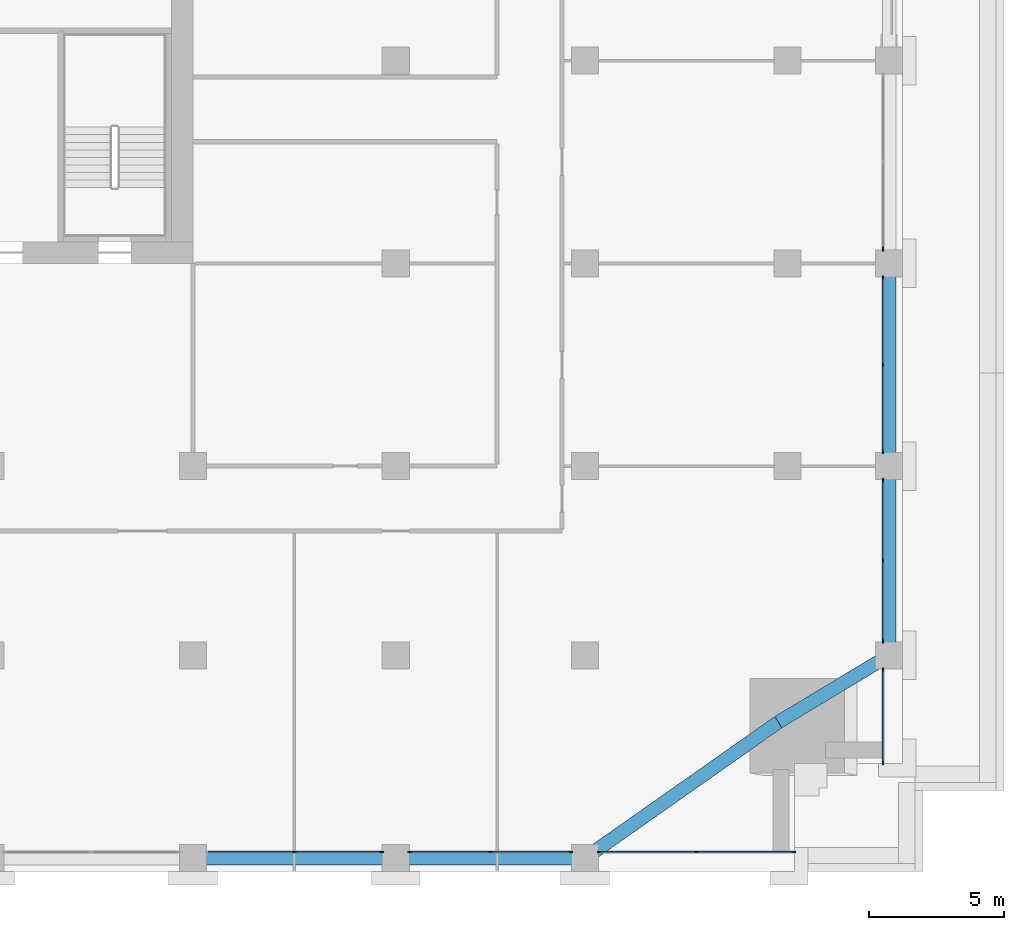
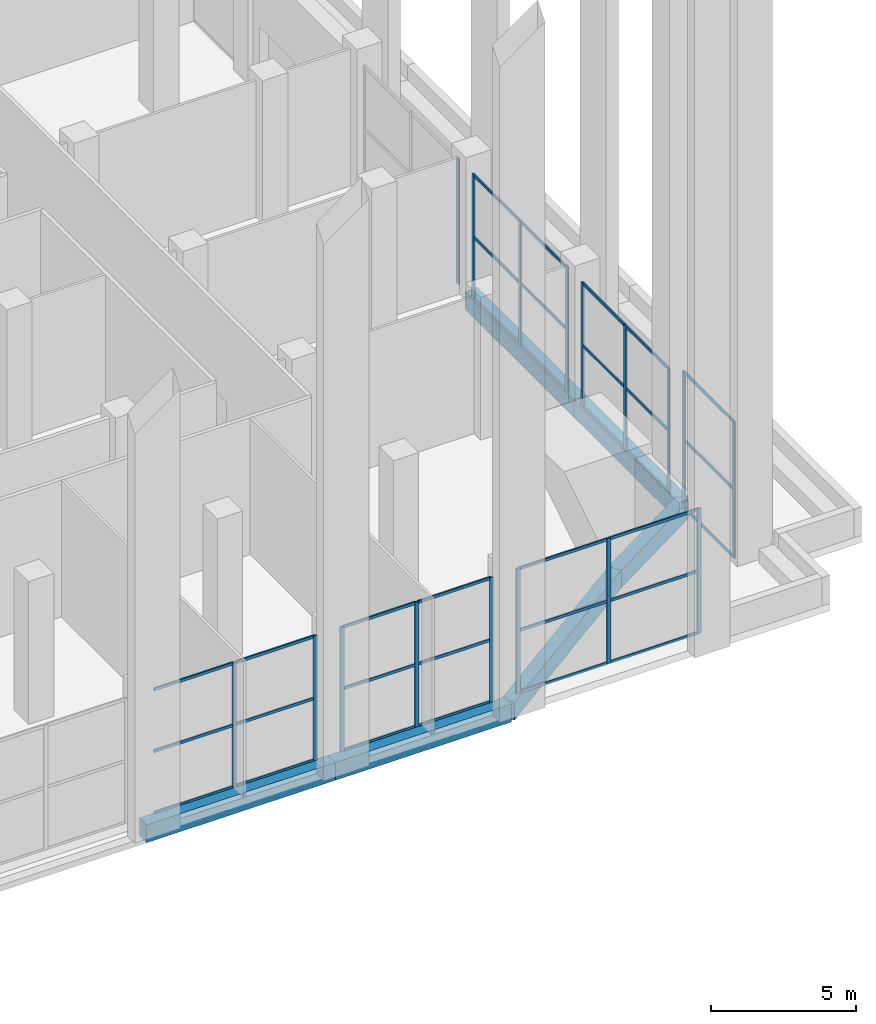
# One storey, part 4 of 23: 50 members, 6 beams, 7 elements without a shape of their own.
"""IFC4 building model written with IfcOpenShell, lengths in metres."""

from ifc_helpers import new_model, si_unit, direction, frame, origin, origin_2d, place, context, subcontext, project, spatial, rectangle, extrude, material, layer, layer_set, material_profile, profile_set, type_object, element, aggregate, save


model = new_model("IFC4")

# Units and contexts
model_context = context("Model", 3, precision=1e-05, world=origin(), true_north=direction((0.0, 1.0)))
body_context = subcontext(model_context, "Body", "Model", "MODEL_VIEW")
ifc_project = project(units=[si_unit("LENGTHUNIT", "METRE"), si_unit("AREAUNIT", "SQUARE_METRE"), si_unit("VOLUMEUNIT", "CUBIC_METRE"), si_unit("PLANEANGLEUNIT", "RADIAN"), si_unit("MASSUNIT", "GRAM", prefix="KILO")], contexts=[model_context])

# Site, building, storey
site_placement = place(None, origin())
site = spatial("IfcSite", under=ifc_project, at=site_placement, CompositionType="ELEMENT")
building_placement = place(site_placement, origin())
building = spatial("IfcBuilding", under=site, at=building_placement, Name="Tamorin Gate", CompositionType="ELEMENT")
storey_placement = place(building_placement, frame((0.0, 0.0, 124.199951171875)))
storey = spatial("IfcBuildingStorey", under=building, at=storey_placement, Name="L30", CompositionType="ELEMENT", Elevation=124.199951171875)

# Curtain wall, members
ifc_material_1 = material(Name="Aluminium mullions and transoms with clear glass", Category="aluminium")
ifc_layer = layer(ifc_material_1, 0.159912109375)
ifc_layer_set = layer_set([ifc_layer], Name="Curtain wall system CW1")
curtain_wall_type = type_object("IfcCurtainWallType", Name="Curtain wall system CW1", PredefinedType="NOTDEFINED", material=ifc_layer_set)
curtain_wall_1_placement = place(storey_placement, origin())
curtain_wall_1 = element("IfcCurtainWall", 1, at=curtain_wall_1_placement, inside=storey, type_object=curtain_wall_type, Name="Curtain wall", PredefinedType="NOTDEFINED")
ifc_material_2 = material(Name="Aluminium", Category="aluminium")
ifc_material_profile_1 = material_profile(ifc_material_2, rectangle(XDim=0.06005859375, YDim=0.159912109375, at=origin_2d()), Name="RECT 60x160")
ifc_profile_set_1 = profile_set([ifc_material_profile_1], Name="Aluminium")
member_type_1 = type_object("IfcMemberType", Name="Aluminium mullion 60x160", PredefinedType="MULLION", material=ifc_profile_set_1)
member_1_placement = place(storey_placement, frame((63.75, 38.219970703125, 0.0), z_axis=(0.0, 0.0, 1.0), x_axis=(0.0, 1.0, 0.0)))
member_1 = element("IfcMember", 2, at=member_1_placement, type_object=member_type_1, Name="CW1 mullion 2", PredefinedType="MULLION", context=body_context, shape_type="SweptSolid", body=[
    extrude(rectangle(XDim=0.06005859375, YDim=0.159912109375, at=origin_2d()), origin(), (0.0, 0.0, 1.0), 5.25),
])
member_2_placement = place(storey_placement, frame((66.969970703125, 38.219970703125, 0.0), z_axis=(0.0, 0.0, 1.0), x_axis=(0.0, 1.0, 0.0)))
member_2 = element("IfcMember", 3, at=member_2_placement, type_object=member_type_1, Name="CW1 mullion 3", PredefinedType="MULLION", context=body_context, shape_type="SweptSolid", body=[
    extrude(rectangle(XDim=0.06005859375, YDim=0.159912109375, at=origin_2d()), origin(), (0.0, 0.0, 1.0), 5.25),
])

curtain_wall_2_placement = place(storey_placement, origin())
curtain_wall_2 = element("IfcCurtainWall", 4, at=curtain_wall_2_placement, inside=storey, type_object=curtain_wall_type, Name="Curtain wall", PredefinedType="NOTDEFINED")
member_3_placement = place(storey_placement, frame((68.030029296875, 38.219970703125, 0.0), z_axis=(0.0, 0.0, 1.0), x_axis=(0.0, 1.0, 0.0)))
member_3 = element("IfcMember", 5, at=member_3_placement, type_object=member_type_1, Name="CW1 mullion 1", PredefinedType="MULLION", context=body_context, shape_type="SweptSolid", body=[
    extrude(rectangle(XDim=0.06005859375, YDim=0.159912109375, at=origin_2d()), origin(), (0.0, 0.0, 1.0), 5.25),
])
member_4_placement = place(storey_placement, frame((71.0, 38.219970703125, 0.0), z_axis=(0.0, 0.0, 1.0), x_axis=(0.0, 1.0, 0.0)))
member_4 = element("IfcMember", 6, at=member_4_placement, type_object=member_type_1, Name="CW1 mullion 2", PredefinedType="MULLION", context=body_context, shape_type="SweptSolid", body=[
    extrude(rectangle(XDim=0.06005859375, YDim=0.159912109375, at=origin_2d()), origin(), (0.0, 0.0, 1.0), 5.25),
])
member_5_placement = place(storey_placement, frame((73.969970703125, 38.219970703125, 0.0), z_axis=(0.0, 0.0, 1.0), x_axis=(0.0, 1.0, 0.0)))
member_5 = element("IfcMember", 7, at=member_5_placement, type_object=member_type_1, Name="CW1 mullion 3", PredefinedType="MULLION", context=body_context, shape_type="SweptSolid", body=[
    extrude(rectangle(XDim=0.06005859375, YDim=0.159912109375, at=origin_2d()), origin(), (0.0, 0.0, 1.0), 5.25),
])

curtain_wall_3_placement = place(storey_placement, origin())
curtain_wall_3 = element("IfcCurtainWall", 8, at=curtain_wall_3_placement, inside=storey, type_object=curtain_wall_type, Name="Curtain wall", PredefinedType="NOTDEFINED")
member_6_placement = place(storey_placement, frame((75.030029296875, 38.219970703125, 0.0), z_axis=(0.0, 0.0, 1.0), x_axis=(0.0, 1.0, 0.0)))
member_6 = element("IfcMember", 9, at=member_6_placement, type_object=member_type_1, Name="CW1 mullion 1", PredefinedType="MULLION", context=body_context, shape_type="SweptSolid", body=[
    extrude(rectangle(XDim=0.06005859375, YDim=0.159912109375, at=origin_2d()), origin(), (0.0, 0.0, 1.0), 5.25),
])
member_7_placement = place(storey_placement, frame((78.625, 38.219970703125, 0.0), z_axis=(0.0, 0.0, 1.0), x_axis=(0.0, 1.0, 0.0)))
member_7 = element("IfcMember", 10, at=member_7_placement, type_object=member_type_1, Name="CW1 mullion 2", PredefinedType="MULLION", context=body_context, shape_type="SweptSolid", body=[
    extrude(rectangle(XDim=0.06005859375, YDim=0.159912109375, at=origin_2d()), origin(), (0.0, 0.0, 1.0), 5.25),
])
member_8_placement = place(storey_placement, frame((82.219970703125, 38.219970703125, 0.0), z_axis=(0.0, 0.0, 1.0), x_axis=(0.0, 1.0, 0.0)))
member_8 = element("IfcMember", 11, at=member_8_placement, type_object=member_type_1, Name="CW1 mullion 3", PredefinedType="MULLION", context=body_context, shape_type="SweptSolid", body=[
    extrude(rectangle(XDim=0.06005859375, YDim=0.159912109375, at=origin_2d()), origin(), (0.0, 0.0, 1.0), 5.25),
])

curtain_wall_4_placement = place(storey_placement, origin())
curtain_wall_4 = element("IfcCurtainWall", 12, at=curtain_wall_4_placement, inside=storey, type_object=curtain_wall_type, Name="Curtain wall", PredefinedType="NOTDEFINED")
member_9_placement = place(storey_placement, frame((85.530029296875, 41.530029296875, 0.0), z_axis=(0.0, 0.0, 1.0), x_axis=(-1.0, 0.0, 0.0)))
member_9 = element("IfcMember", 13, at=member_9_placement, type_object=member_type_1, Name="CW1 mullion 1", PredefinedType="MULLION", context=body_context, shape_type="SweptSolid", body=[
    extrude(rectangle(XDim=0.06005859375, YDim=0.159912109375, at=origin_2d()), origin(), (0.0, 0.0, 1.0), 5.75),
])
member_10_placement = place(storey_placement, frame((85.530029296875, 44.969970703125, 0.0), z_axis=(0.0, 0.0, 1.0), x_axis=(-1.0, 0.0, 0.0)))
member_10 = element("IfcMember", 14, at=member_10_placement, type_object=member_type_1, Name="CW1 mullion 2", PredefinedType="MULLION", context=body_context, shape_type="SweptSolid", body=[
    extrude(rectangle(XDim=0.06005859375, YDim=0.159912109375, at=origin_2d()), origin(), (0.0, 0.0, 1.0), 5.75),
])

curtain_wall_5_placement = place(storey_placement, origin())
curtain_wall_5 = element("IfcCurtainWall", 15, at=curtain_wall_5_placement, inside=storey, type_object=curtain_wall_type, Name="Curtain wall", PredefinedType="NOTDEFINED")
member_11_placement = place(storey_placement, frame((85.530029296875, 46.030029296875, 0.0), z_axis=(0.0, 0.0, 1.0), x_axis=(-1.0, 0.0, 0.0)))
member_11 = element("IfcMember", 16, at=member_11_placement, type_object=member_type_1, Name="CW1 mullion 1", PredefinedType="MULLION", context=body_context, shape_type="SweptSolid", body=[
    extrude(rectangle(XDim=0.06005859375, YDim=0.159912109375, at=origin_2d()), origin(), (0.0, 0.0, 1.0), 5.25),
])
member_12_placement = place(storey_placement, frame((85.530029296875, 49.0, 0.0), z_axis=(0.0, 0.0, 1.0), x_axis=(-1.0, 0.0, 0.0)))
member_12 = element("IfcMember", 17, at=member_12_placement, type_object=member_type_1, Name="CW1 mullion 2", PredefinedType="MULLION", context=body_context, shape_type="SweptSolid", body=[
    extrude(rectangle(XDim=0.06005859375, YDim=0.159912109375, at=origin_2d()), origin(), (0.0, 0.0, 1.0), 5.25),
])
member_13_placement = place(storey_placement, frame((85.530029296875, 51.969970703125, 0.0), z_axis=(0.0, 0.0, 1.0), x_axis=(-1.0, 0.0, 0.0)))
member_13 = element("IfcMember", 18, at=member_13_placement, type_object=member_type_1, Name="CW1 mullion 3", PredefinedType="MULLION", context=body_context, shape_type="SweptSolid", body=[
    extrude(rectangle(XDim=0.06005859375, YDim=0.159912109375, at=origin_2d()), origin(), (0.0, 0.0, 1.0), 5.25),
])

curtain_wall_6_placement = place(storey_placement, origin())
curtain_wall_6 = element("IfcCurtainWall", 19, at=curtain_wall_6_placement, inside=storey, type_object=curtain_wall_type, Name="Curtain wall", PredefinedType="NOTDEFINED")
member_14_placement = place(storey_placement, frame((85.530029296875, 53.030029296875, 0.0), z_axis=(0.0, 0.0, 1.0), x_axis=(-1.0, 0.0, 0.0)))
member_14 = element("IfcMember", 20, at=member_14_placement, type_object=member_type_1, Name="CW1 mullion 1", PredefinedType="MULLION", context=body_context, shape_type="SweptSolid", body=[
    extrude(rectangle(XDim=0.06005859375, YDim=0.159912109375, at=origin_2d()), origin(), (0.0, 0.0, 1.0), 5.25),
])
member_15_placement = place(storey_placement, frame((85.530029296875, 56.25, 0.0), z_axis=(0.0, 0.0, 1.0), x_axis=(-1.0, 0.0, 0.0)))
member_15 = element("IfcMember", 21, at=member_15_placement, type_object=member_type_1, Name="CW1 mullion 2", PredefinedType="MULLION", context=body_context, shape_type="SweptSolid", body=[
    extrude(rectangle(XDim=0.06005859375, YDim=0.159912109375, at=origin_2d()), origin(), (0.0, 0.0, 1.0), 5.25),
])
member_16_placement = place(storey_placement, frame((85.530029296875, 59.469970703125, 0.0), z_axis=(0.0, 0.0, 1.0), x_axis=(-1.0, 0.0, 0.0)))
member_16 = element("IfcMember", 22, at=member_16_placement, type_object=member_type_1, Name="CW1 mullion 3", PredefinedType="MULLION", context=body_context, shape_type="SweptSolid", body=[
    extrude(rectangle(XDim=0.06005859375, YDim=0.159912109375, at=origin_2d()), origin(), (0.0, 0.0, 1.0), 5.25),
])

# Curtain wall, member
curtain_wall_7_placement = place(storey_placement, origin())
curtain_wall_7 = element("IfcCurtainWall", 23, at=curtain_wall_7_placement, inside=storey, type_object=curtain_wall_type, Name="Curtain wall", PredefinedType="NOTDEFINED")
member_17_placement = place(storey_placement, frame((85.530029296875, 60.530029296875, 0.0), z_axis=(0.0, 0.0, 1.0), x_axis=(-1.0, 0.0, 0.0)))
member_17 = element("IfcMember", 24, at=member_17_placement, type_object=member_type_1, Name="CW1 mullion 1", PredefinedType="MULLION", context=body_context, shape_type="SweptSolid", body=[
    extrude(rectangle(XDim=0.06005859375, YDim=0.159912109375, at=origin_2d()), origin(), (0.0, 0.0, 1.0), 5.25),
])
aggregate(curtain_wall_7, [member_17])

# Member
ifc_material_profile_2 = material_profile(ifc_material_2, rectangle(XDim=0.06005859375, YDim=0.1201171875, at=origin_2d()), Name="RECT 60x120")
ifc_profile_set_2 = profile_set([ifc_material_profile_2], Name="Aluminium")
member_type_2 = type_object("IfcMemberType", Name="Aluminium transom 60x120", PredefinedType="USERDEFINED", material=ifc_profile_set_2)
member_18_placement = place(storey_placement, frame((60.56005859375, 38.219970703125, 0.030029296875), z_axis=(1.0, 0.0, 0.0), x_axis=(0.0, 1.0, 0.0)))
member_18 = element("IfcMember", 25, at=member_18_placement, type_object=member_type_2, Name="CW1 transom 1.1", ObjectType="TRANSOM", PredefinedType="USERDEFINED", context=body_context, shape_type="SweptSolid", body=[
    extrude(rectangle(XDim=0.06005859375, YDim=0.1201171875, at=origin_2d()), origin(), (0.0, 0.0, 1.0), 3.159912109375),
])

member_19_placement = place(storey_placement, frame((60.56005859375, 38.219970703125, 2.625), z_axis=(1.0, 0.0, 0.0), x_axis=(0.0, 1.0, 0.0)))
member_19 = element("IfcMember", 26, at=member_19_placement, type_object=member_type_2, Name="CW1 transom 1.2", ObjectType="TRANSOM", PredefinedType="USERDEFINED", context=body_context, shape_type="SweptSolid", body=[
    extrude(rectangle(XDim=0.06005859375, YDim=0.1201171875, at=origin_2d()), origin(), (0.0, 0.0, 1.0), 3.159912109375),
])

member_20_placement = place(storey_placement, frame((60.56005859375, 38.219970703125, 5.219970703125), z_axis=(1.0, 0.0, 0.0), x_axis=(0.0, 1.0, 0.0)))
member_20 = element("IfcMember", 27, at=member_20_placement, type_object=member_type_2, Name="CW1 transom 1.3", ObjectType="TRANSOM", PredefinedType="USERDEFINED", context=body_context, shape_type="SweptSolid", body=[
    extrude(rectangle(XDim=0.06005859375, YDim=0.1201171875, at=origin_2d()), origin(), (0.0, 0.0, 1.0), 3.159912109375),
])

member_21_placement = place(storey_placement, frame((63.780029296875, 38.219970703125, 0.030029296875), z_axis=(1.0, 0.0, 0.0), x_axis=(0.0, 1.0, 0.0)))
member_21 = element("IfcMember", 28, at=member_21_placement, type_object=member_type_2, Name="CW1 transom 2.1", ObjectType="TRANSOM", PredefinedType="USERDEFINED", context=body_context, shape_type="SweptSolid", body=[
    extrude(rectangle(XDim=0.06005859375, YDim=0.1201171875, at=origin_2d()), origin(), (0.0, 0.0, 1.0), 3.159912109375),
])

member_22_placement = place(storey_placement, frame((63.780029296875, 38.219970703125, 2.625), z_axis=(1.0, 0.0, 0.0), x_axis=(0.0, 1.0, 0.0)))
member_22 = element("IfcMember", 29, at=member_22_placement, type_object=member_type_2, Name="CW1 transom 2.2", ObjectType="TRANSOM", PredefinedType="USERDEFINED", context=body_context, shape_type="SweptSolid", body=[
    extrude(rectangle(XDim=0.06005859375, YDim=0.1201171875, at=origin_2d()), origin(), (0.0, 0.0, 1.0), 3.159912109375),
])

member_23_placement = place(storey_placement, frame((63.780029296875, 38.219970703125, 5.219970703125), z_axis=(1.0, 0.0, 0.0), x_axis=(0.0, 1.0, 0.0)))
member_23 = element("IfcMember", 30, at=member_23_placement, type_object=member_type_2, Name="CW1 transom 2.3", ObjectType="TRANSOM", PredefinedType="USERDEFINED", context=body_context, shape_type="SweptSolid", body=[
    extrude(rectangle(XDim=0.06005859375, YDim=0.1201171875, at=origin_2d()), origin(), (0.0, 0.0, 1.0), 3.159912109375),
])

aggregate(curtain_wall_1, [member_1, member_2, member_18, member_19, member_20, member_21, member_22, member_23])

member_24_placement = place(storey_placement, frame((68.06005859375, 38.219970703125, 0.030029296875), z_axis=(1.0, 0.0, 0.0), x_axis=(0.0, 1.0, 0.0)))
member_24 = element("IfcMember", 31, at=member_24_placement, type_object=member_type_2, Name="CW1 transom 1.1", ObjectType="TRANSOM", PredefinedType="USERDEFINED", context=body_context, shape_type="SweptSolid", body=[
    extrude(rectangle(XDim=0.06005859375, YDim=0.1201171875, at=origin_2d()), origin(), (0.0, 0.0, 1.0), 2.909912109375),
])

member_25_placement = place(storey_placement, frame((68.06005859375, 38.219970703125, 2.625), z_axis=(1.0, 0.0, 0.0), x_axis=(0.0, 1.0, 0.0)))
member_25 = element("IfcMember", 32, at=member_25_placement, type_object=member_type_2, Name="CW1 transom 1.2", ObjectType="TRANSOM", PredefinedType="USERDEFINED", context=body_context, shape_type="SweptSolid", body=[
    extrude(rectangle(XDim=0.06005859375, YDim=0.1201171875, at=origin_2d()), origin(), (0.0, 0.0, 1.0), 2.909912109375),
])

member_26_placement = place(storey_placement, frame((68.06005859375, 38.219970703125, 5.219970703125), z_axis=(1.0, 0.0, 0.0), x_axis=(0.0, 1.0, 0.0)))
member_26 = element("IfcMember", 33, at=member_26_placement, type_object=member_type_2, Name="CW1 transom 1.3", ObjectType="TRANSOM", PredefinedType="USERDEFINED", context=body_context, shape_type="SweptSolid", body=[
    extrude(rectangle(XDim=0.06005859375, YDim=0.1201171875, at=origin_2d()), origin(), (0.0, 0.0, 1.0), 2.909912109375),
])

member_27_placement = place(storey_placement, frame((71.030029296875, 38.219970703125, 0.030029296875), z_axis=(1.0, 0.0, 0.0), x_axis=(0.0, 1.0, 0.0)))
member_27 = element("IfcMember", 34, at=member_27_placement, type_object=member_type_2, Name="CW1 transom 2.1", ObjectType="TRANSOM", PredefinedType="USERDEFINED", context=body_context, shape_type="SweptSolid", body=[
    extrude(rectangle(XDim=0.06005859375, YDim=0.1201171875, at=origin_2d()), origin(), (0.0, 0.0, 1.0), 2.909912109375),
])

member_28_placement = place(storey_placement, frame((71.030029296875, 38.219970703125, 2.625), z_axis=(1.0, 0.0, 0.0), x_axis=(0.0, 1.0, 0.0)))
member_28 = element("IfcMember", 35, at=member_28_placement, type_object=member_type_2, Name="CW1 transom 2.2", ObjectType="TRANSOM", PredefinedType="USERDEFINED", context=body_context, shape_type="SweptSolid", body=[
    extrude(rectangle(XDim=0.06005859375, YDim=0.1201171875, at=origin_2d()), origin(), (0.0, 0.0, 1.0), 2.909912109375),
])

member_29_placement = place(storey_placement, frame((71.030029296875, 38.219970703125, 5.219970703125), z_axis=(1.0, 0.0, 0.0), x_axis=(0.0, 1.0, 0.0)))
member_29 = element("IfcMember", 36, at=member_29_placement, type_object=member_type_2, Name="CW1 transom 2.3", ObjectType="TRANSOM", PredefinedType="USERDEFINED", context=body_context, shape_type="SweptSolid", body=[
    extrude(rectangle(XDim=0.06005859375, YDim=0.1201171875, at=origin_2d()), origin(), (0.0, 0.0, 1.0), 2.909912109375),
])

aggregate(curtain_wall_2, [member_3, member_4, member_5, member_24, member_25, member_26, member_27, member_28, member_29])

member_30_placement = place(storey_placement, frame((75.06005859375, 38.219970703125, 0.030029296875), z_axis=(1.0, 0.0, 0.0), x_axis=(0.0, 1.0, 0.0)))
member_30 = element("IfcMember", 37, at=member_30_placement, type_object=member_type_2, Name="CW1 transom 1.1", ObjectType="TRANSOM", PredefinedType="USERDEFINED", context=body_context, shape_type="SweptSolid", body=[
    extrude(rectangle(XDim=0.06005859375, YDim=0.1201171875, at=origin_2d()), origin(), (0.0, 0.0, 1.0), 3.534912109375),
])

member_31_placement = place(storey_placement, frame((75.06005859375, 38.219970703125, 2.625), z_axis=(1.0, 0.0, 0.0), x_axis=(0.0, 1.0, 0.0)))
member_31 = element("IfcMember", 38, at=member_31_placement, type_object=member_type_2, Name="CW1 transom 1.2", ObjectType="TRANSOM", PredefinedType="USERDEFINED", context=body_context, shape_type="SweptSolid", body=[
    extrude(rectangle(XDim=0.06005859375, YDim=0.1201171875, at=origin_2d()), origin(), (0.0, 0.0, 1.0), 3.534912109375),
])

member_32_placement = place(storey_placement, frame((75.06005859375, 38.219970703125, 5.219970703125), z_axis=(1.0, 0.0, 0.0), x_axis=(0.0, 1.0, 0.0)))
member_32 = element("IfcMember", 39, at=member_32_placement, type_object=member_type_2, Name="CW1 transom 1.3", ObjectType="TRANSOM", PredefinedType="USERDEFINED", context=body_context, shape_type="SweptSolid", body=[
    extrude(rectangle(XDim=0.06005859375, YDim=0.1201171875, at=origin_2d()), origin(), (0.0, 0.0, 1.0), 3.534912109375),
])

member_33_placement = place(storey_placement, frame((78.655029296875, 38.219970703125, 0.030029296875), z_axis=(1.0, 0.0, 0.0), x_axis=(0.0, 1.0, 0.0)))
member_33 = element("IfcMember", 40, at=member_33_placement, type_object=member_type_2, Name="CW1 transom 2.1", ObjectType="TRANSOM", PredefinedType="USERDEFINED", context=body_context, shape_type="SweptSolid", body=[
    extrude(rectangle(XDim=0.06005859375, YDim=0.1201171875, at=origin_2d()), origin(), (0.0, 0.0, 1.0), 3.534912109375),
])

member_34_placement = place(storey_placement, frame((78.655029296875, 38.219970703125, 2.625), z_axis=(1.0, 0.0, 0.0), x_axis=(0.0, 1.0, 0.0)))
member_34 = element("IfcMember", 41, at=member_34_placement, type_object=member_type_2, Name="CW1 transom 2.2", ObjectType="TRANSOM", PredefinedType="USERDEFINED", context=body_context, shape_type="SweptSolid", body=[
    extrude(rectangle(XDim=0.06005859375, YDim=0.1201171875, at=origin_2d()), origin(), (0.0, 0.0, 1.0), 3.534912109375),
])

member_35_placement = place(storey_placement, frame((78.655029296875, 38.219970703125, 5.219970703125), z_axis=(1.0, 0.0, 0.0), x_axis=(0.0, 1.0, 0.0)))
member_35 = element("IfcMember", 42, at=member_35_placement, type_object=member_type_2, Name="CW1 transom 2.3", ObjectType="TRANSOM", PredefinedType="USERDEFINED", context=body_context, shape_type="SweptSolid", body=[
    extrude(rectangle(XDim=0.06005859375, YDim=0.1201171875, at=origin_2d()), origin(), (0.0, 0.0, 1.0), 3.534912109375),
])

aggregate(curtain_wall_3, [member_6, member_7, member_8, member_30, member_31, member_32, member_33, member_34, member_35])

member_36_placement = place(storey_placement, frame((85.530029296875, 41.56005859375, 0.030029296875), z_axis=(0.0, 1.0, 0.0), x_axis=(-1.0, 0.0, 0.0)))
member_36 = element("IfcMember", 43, at=member_36_placement, type_object=member_type_2, Name="CW1 transom 1.1", ObjectType="TRANSOM", PredefinedType="USERDEFINED", context=body_context, shape_type="SweptSolid", body=[
    extrude(rectangle(XDim=0.06005859375, YDim=0.1201171875, at=origin_2d()), origin(), (0.0, 0.0, 1.0), 3.3798828125),
])

member_37_placement = place(storey_placement, frame((85.530029296875, 41.56005859375, 2.875), z_axis=(0.0, 1.0, 0.0), x_axis=(-1.0, 0.0, 0.0)))
member_37 = element("IfcMember", 44, at=member_37_placement, type_object=member_type_2, Name="CW1 transom 1.2", ObjectType="TRANSOM", PredefinedType="USERDEFINED", context=body_context, shape_type="SweptSolid", body=[
    extrude(rectangle(XDim=0.06005859375, YDim=0.1201171875, at=origin_2d()), origin(), (0.0, 0.0, 1.0), 3.3798828125),
])

member_38_placement = place(storey_placement, frame((85.530029296875, 41.56005859375, 5.719970703125), z_axis=(0.0, 1.0, 0.0), x_axis=(-1.0, 0.0, 0.0)))
member_38 = element("IfcMember", 45, at=member_38_placement, type_object=member_type_2, Name="CW1 transom 1.3", ObjectType="TRANSOM", PredefinedType="USERDEFINED", context=body_context, shape_type="SweptSolid", body=[
    extrude(rectangle(XDim=0.06005859375, YDim=0.1201171875, at=origin_2d()), origin(), (0.0, 0.0, 1.0), 3.3798828125),
])

aggregate(curtain_wall_4, [member_9, member_10, member_36, member_37, member_38])

member_39_placement = place(storey_placement, frame((85.530029296875, 46.06005859375, 0.030029296875), z_axis=(0.0, 1.0, 0.0), x_axis=(-1.0, 0.0, 0.0)))
member_39 = element("IfcMember", 46, at=member_39_placement, type_object=member_type_2, Name="CW1 transom 1.1", ObjectType="TRANSOM", PredefinedType="USERDEFINED", context=body_context, shape_type="SweptSolid", body=[
    extrude(rectangle(XDim=0.06005859375, YDim=0.1201171875, at=origin_2d()), origin(), (0.0, 0.0, 1.0), 2.909912109375),
])

member_40_placement = place(storey_placement, frame((85.530029296875, 46.06005859375, 2.625), z_axis=(0.0, 1.0, 0.0), x_axis=(-1.0, 0.0, 0.0)))
member_40 = element("IfcMember", 47, at=member_40_placement, type_object=member_type_2, Name="CW1 transom 1.2", ObjectType="TRANSOM", PredefinedType="USERDEFINED", context=body_context, shape_type="SweptSolid", body=[
    extrude(rectangle(XDim=0.06005859375, YDim=0.1201171875, at=origin_2d()), origin(), (0.0, 0.0, 1.0), 2.909912109375),
])

member_41_placement = place(storey_placement, frame((85.530029296875, 46.06005859375, 5.219970703125), z_axis=(0.0, 1.0, 0.0), x_axis=(-1.0, 0.0, 0.0)))
member_41 = element("IfcMember", 48, at=member_41_placement, type_object=member_type_2, Name="CW1 transom 1.3", ObjectType="TRANSOM", PredefinedType="USERDEFINED", context=body_context, shape_type="SweptSolid", body=[
    extrude(rectangle(XDim=0.06005859375, YDim=0.1201171875, at=origin_2d()), origin(), (0.0, 0.0, 1.0), 2.909912109375),
])

member_42_placement = place(storey_placement, frame((85.530029296875, 49.030029296875, 0.030029296875), z_axis=(0.0, 1.0, 0.0), x_axis=(-1.0, 0.0, 0.0)))
member_42 = element("IfcMember", 49, at=member_42_placement, type_object=member_type_2, Name="CW1 transom 2.1", ObjectType="TRANSOM", PredefinedType="USERDEFINED", context=body_context, shape_type="SweptSolid", body=[
    extrude(rectangle(XDim=0.06005859375, YDim=0.1201171875, at=origin_2d()), origin(), (0.0, 0.0, 1.0), 2.909912109375),
])

member_43_placement = place(storey_placement, frame((85.530029296875, 49.030029296875, 2.625), z_axis=(0.0, 1.0, 0.0), x_axis=(-1.0, 0.0, 0.0)))
member_43 = element("IfcMember", 50, at=member_43_placement, type_object=member_type_2, Name="CW1 transom 2.2", ObjectType="TRANSOM", PredefinedType="USERDEFINED", context=body_context, shape_type="SweptSolid", body=[
    extrude(rectangle(XDim=0.06005859375, YDim=0.1201171875, at=origin_2d()), origin(), (0.0, 0.0, 1.0), 2.909912109375),
])

member_44_placement = place(storey_placement, frame((85.530029296875, 49.030029296875, 5.219970703125), z_axis=(0.0, 1.0, 0.0), x_axis=(-1.0, 0.0, 0.0)))
member_44 = element("IfcMember", 51, at=member_44_placement, type_object=member_type_2, Name="CW1 transom 2.3", ObjectType="TRANSOM", PredefinedType="USERDEFINED", context=body_context, shape_type="SweptSolid", body=[
    extrude(rectangle(XDim=0.06005859375, YDim=0.1201171875, at=origin_2d()), origin(), (0.0, 0.0, 1.0), 2.909912109375),
])

aggregate(curtain_wall_5, [member_11, member_12, member_13, member_39, member_40, member_41, member_42, member_43, member_44])

member_45_placement = place(storey_placement, frame((85.530029296875, 53.06005859375, 0.030029296875), z_axis=(0.0, 1.0, 0.0), x_axis=(-1.0, 0.0, 0.0)))
member_45 = element("IfcMember", 52, at=member_45_placement, type_object=member_type_2, Name="CW1 transom 1.1", ObjectType="TRANSOM", PredefinedType="USERDEFINED", context=body_context, shape_type="SweptSolid", body=[
    extrude(rectangle(XDim=0.06005859375, YDim=0.1201171875, at=origin_2d()), origin(), (0.0, 0.0, 1.0), 3.159912109375),
])

member_46_placement = place(storey_placement, frame((85.530029296875, 53.06005859375, 2.625), z_axis=(0.0, 1.0, 0.0), x_axis=(-1.0, 0.0, 0.0)))
member_46 = element("IfcMember", 53, at=member_46_placement, type_object=member_type_2, Name="CW1 transom 1.2", ObjectType="TRANSOM", PredefinedType="USERDEFINED", context=body_context, shape_type="SweptSolid", body=[
    extrude(rectangle(XDim=0.06005859375, YDim=0.1201171875, at=origin_2d()), origin(), (0.0, 0.0, 1.0), 3.159912109375),
])

member_47_placement = place(storey_placement, frame((85.530029296875, 53.06005859375, 5.219970703125), z_axis=(0.0, 1.0, 0.0), x_axis=(-1.0, 0.0, 0.0)))
member_47 = element("IfcMember", 54, at=member_47_placement, type_object=member_type_2, Name="CW1 transom 1.3", ObjectType="TRANSOM", PredefinedType="USERDEFINED", context=body_context, shape_type="SweptSolid", body=[
    extrude(rectangle(XDim=0.06005859375, YDim=0.1201171875, at=origin_2d()), origin(), (0.0, 0.0, 1.0), 3.159912109375),
])

member_48_placement = place(storey_placement, frame((85.530029296875, 56.280029296875, 0.030029296875), z_axis=(0.0, 1.0, 0.0), x_axis=(-1.0, 0.0, 0.0)))
member_48 = element("IfcMember", 55, at=member_48_placement, type_object=member_type_2, Name="CW1 transom 2.1", ObjectType="TRANSOM", PredefinedType="USERDEFINED", context=body_context, shape_type="SweptSolid", body=[
    extrude(rectangle(XDim=0.06005859375, YDim=0.1201171875, at=origin_2d()), origin(), (0.0, 0.0, 1.0), 3.159912109375),
])

member_49_placement = place(storey_placement, frame((85.530029296875, 56.280029296875, 2.625), z_axis=(0.0, 1.0, 0.0), x_axis=(-1.0, 0.0, 0.0)))
member_49 = element("IfcMember", 56, at=member_49_placement, type_object=member_type_2, Name="CW1 transom 2.2", ObjectType="TRANSOM", PredefinedType="USERDEFINED", context=body_context, shape_type="SweptSolid", body=[
    extrude(rectangle(XDim=0.06005859375, YDim=0.1201171875, at=origin_2d()), origin(), (0.0, 0.0, 1.0), 3.159912109375),
])

member_50_placement = place(storey_placement, frame((85.530029296875, 56.280029296875, 5.219970703125), z_axis=(0.0, 1.0, 0.0), x_axis=(-1.0, 0.0, 0.0)))
member_50 = element("IfcMember", 57, at=member_50_placement, type_object=member_type_2, Name="CW1 transom 2.3", ObjectType="TRANSOM", PredefinedType="USERDEFINED", context=body_context, shape_type="SweptSolid", body=[
    extrude(rectangle(XDim=0.06005859375, YDim=0.1201171875, at=origin_2d()), origin(), (0.0, 0.0, 1.0), 3.159912109375),
])

aggregate(curtain_wall_6, [member_14, member_15, member_16, member_45, member_46, member_47, member_48, member_49, member_50])

# Beams
ifc_material_3 = material(Name="Concrete C50/60", Category="concrete")
ifc_material_profile_3 = material_profile(ifc_material_3, rectangle(XDim=0.5, YDim=0.75, at=origin_2d()), Name="RC 500x750")
ifc_profile_set_3 = profile_set([ifc_material_profile_3], Name="Concrete C50/60")
beam_type = type_object("IfcBeamType", Name="RC spandrel 500x750 C50/60", PredefinedType="BEAM", material=ifc_profile_set_3)
beam_1_placement = place(storey_placement, frame((60.0, 38.0, -0.375), z_axis=(1.0, 0.0, 0.0), x_axis=(0.0, 1.0, 0.0)))
element("IfcBeam", 58, at=beam_1_placement, inside=storey, type_object=beam_type, Name="Spandrel beam L30", PredefinedType="BEAM", context=body_context, shape_type="SweptSolid", body=[
    extrude(rectangle(XDim=0.5, YDim=0.75, at=origin_2d()), origin(), (0.0, 0.0, 1.0), 7.5),
])
for number, where, z_axis, x_axis, name in (
    (59, (67.5, 38.0, -0.375), (1.0, 0.0, 0.0), (0.0, 1.0, 0.0), "Spandrel beam L30"),
    (60, (85.75, 45.5, -0.375), (0.0, 1.0, 0.0), (-1.0, 0.0, 0.0), "Spandrel beam L30"),
):
    element("IfcBeam", number, at=place(storey_placement, frame(where, z_axis=z_axis, x_axis=x_axis)), inside=storey, type_object=beam_type, Name=name, PredefinedType="BEAM", context=body_context, shape_type="SweptSolid", body=[
        extrude(rectangle(XDim=0.5, YDim=0.75, at=origin_2d()), origin(), (0.0, 0.0, 1.0), 7.0),
    ])
beam_2_placement = place(storey_placement, frame((85.75, 52.5, -0.375), z_axis=(0.0, 1.0, 0.0), x_axis=(-1.0, 0.0, 0.0)))
element("IfcBeam", 61, at=beam_2_placement, inside=storey, type_object=beam_type, Name="Spandrel beam L30", PredefinedType="BEAM", context=body_context, shape_type="SweptSolid", body=[
    extrude(rectangle(XDim=0.5, YDim=0.75, at=origin_2d()), origin(), (0.0, 0.0, 1.0), 7.5),
])
beam_3_placement = place(storey_placement, frame((81.65625, 43.03125, -0.375), z_axis=(0.856337195279, 0.516417087229, 0.0), x_axis=(-0.516417087229, 0.856337195279, 0.0)))
element("IfcBeam", 62, at=beam_3_placement, inside=storey, type_object=beam_type, Name="Corner tie beam L30", PredefinedType="BEAM", context=body_context, shape_type="SweptSolid", body=[
    extrude(rectangle(XDim=0.5, YDim=0.75, at=origin_2d()), origin(), (0.0, 0.0, 1.0), 4.780517578125),
])
beam_4_placement = place(storey_placement, frame((81.65625, 43.03125, -0.375), z_axis=(-0.818055420113, -0.575139400167, 0.0), x_axis=(0.575139400167, -0.818055420113, 0.0)))
element("IfcBeam", 63, at=beam_4_placement, inside=storey, type_object=beam_type, Name="Corner tie beam L30", PredefinedType="BEAM", context=body_context, shape_type="SweptSolid", body=[
    extrude(rectangle(XDim=0.5, YDim=0.75, at=origin_2d()), origin(), (0.0, 0.0, 1.0), 8.747802734375),
])

save(model, "model.ifc")
